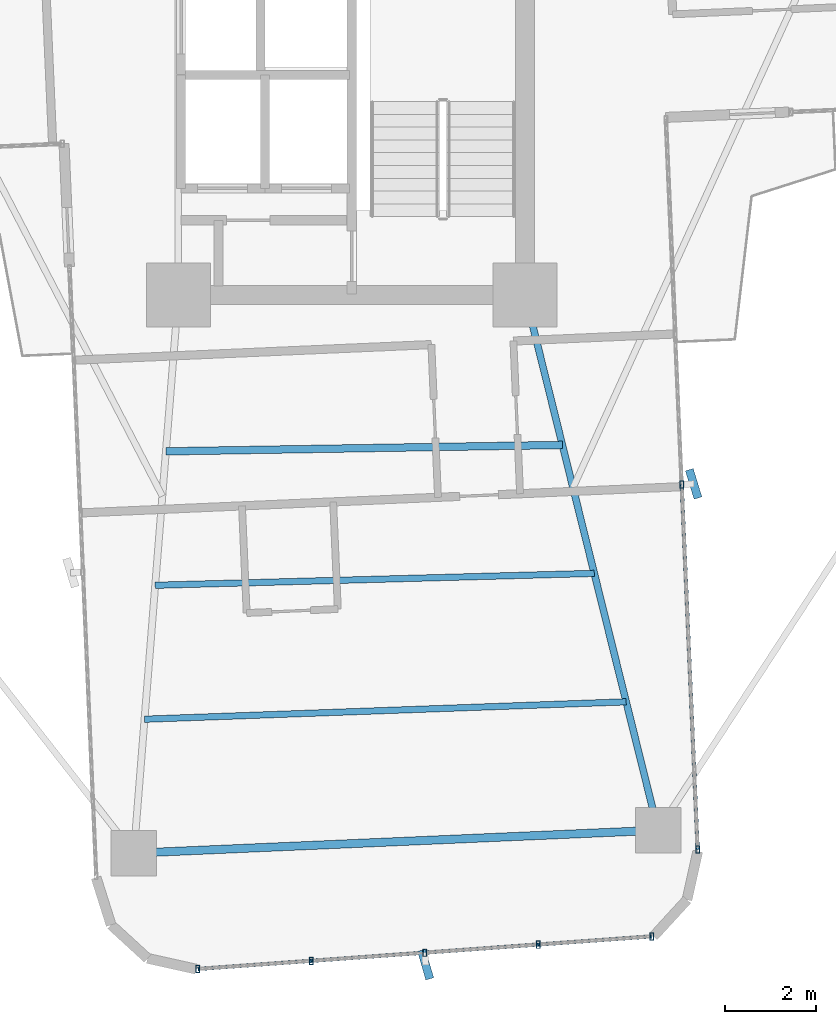
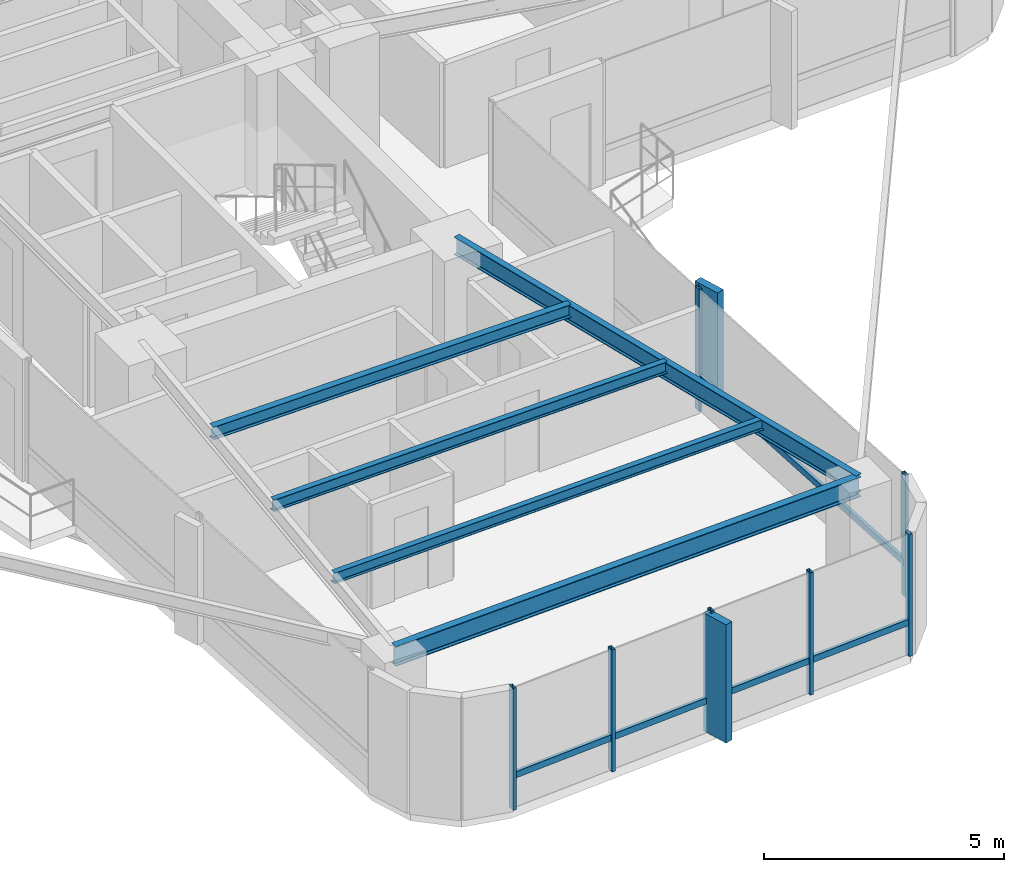
# One storey, part 6 of 26: 14 members, 5 beams, 2 elements without a shape of their own.
"""IFC4 building model written with IfcOpenShell, lengths in metres."""

from ifc_helpers import new_model, si_unit, direction, frame, origin, origin_2d, place, context, subcontext, project, spatial, rectangle, hollow_rectangle, i_section, extrude, source, transform, mapped, material, material_profile, profile_set, type_object, element, aggregate, save


model = new_model("IFC4")

# Units and contexts
model_context = context("Model", 3, precision=1e-05, world=origin(), true_north=direction((0.0, 1.0)))
body_context = subcontext(model_context, "Body", "Model", "MODEL_VIEW")
ifc_project = project(units=[si_unit("LENGTHUNIT", "METRE"), si_unit("AREAUNIT", "SQUARE_METRE"), si_unit("VOLUMEUNIT", "CUBIC_METRE"), si_unit("PLANEANGLEUNIT", "RADIAN"), si_unit("MASSUNIT", "GRAM", prefix="KILO")], contexts=[model_context])

# Site, building, storey
site_placement = place(None, origin())
site = spatial("IfcSite", under=ifc_project, at=site_placement, CompositionType="ELEMENT")
building_placement = place(site_placement, origin())
building = spatial("IfcBuilding", under=site, at=building_placement, Name="Sahyath Konkavel Grand Hotel", CompositionType="ELEMENT")
storey_placement = place(building_placement, frame((0.0, 0.0, 124.85009765625)))
storey = spatial("IfcBuildingStorey", under=building, at=storey_placement, Name="L34", CompositionType="ELEMENT", Elevation=124.85009765625)

# Beams
ifc_material_1 = material(Name="Steel E350", Category="steel")
ifc_material_profile_1 = material_profile(ifc_material_1, i_section(OverallWidth=0.14990234375, OverallDepth=0.449951171875, WebThickness=0.009521484375, FlangeThickness=0.017333984375, FilletRadius=0.014892578125, at=origin_2d()), Name="ISMB 450")
ifc_profile_set_1 = profile_set([ifc_material_profile_1], Name="Steel E350")
beam_type_1 = type_object("IfcBeamType", Name="BM-ISMB450", PredefinedType="BEAM", material=ifc_profile_set_1)
shared_shape_1 = source(origin(), body_context, "Body", "SweptSolid", [
    extrude(i_section(OverallWidth=0.14990234375, OverallDepth=0.449951171875, WebThickness=0.009521484375, FlangeThickness=0.017333984375, FilletRadius=0.014892578125, at=origin_2d()), origin(), (0.0, 0.0, 1.0), 12.084228515625),
])
beam_1_placement = place(storey_placement, frame((3.800048828125, -10.199951171875, 2.885009765625), z_axis=(0.241042688481, -0.970514514229, 0.0), x_axis=(0.970514514229, 0.241042688481, 0.0)))
element("IfcBeam", 1, at=beam_1_placement, inside=storey, type_object=beam_type_1, Name="L34 Cruciform Radial Girder SB", PredefinedType="BEAM", context=body_context, shape_type="MappedRepresentation", body=[
    mapped(shared_shape_1, transform((0.0, 0.0, 0.0), scale=1.0)),
])
ifc_material_profile_2 = material_profile(ifc_material_1, i_section(OverallWidth=0.179931640625, OverallDepth=0.5, WebThickness=0.01025390625, FlangeThickness=0.01708984375, FilletRadius=0.01708984375, at=origin_2d()), Name="ISMB 500")
ifc_profile_set_2 = profile_set([ifc_material_profile_2], Name="Steel E350")
beam_type_2 = type_object("IfcBeamType", Name="BM-ISMB500", PredefinedType="BEAM", material=ifc_profile_set_2)
shared_shape_2 = source(origin(), body_context, "Body", "SweptSolid", [
    extrude(i_section(OverallWidth=0.179931640625, OverallDepth=0.5, WebThickness=0.01025390625, FlangeThickness=0.01708984375, FilletRadius=0.01708984375, at=origin_2d()), origin(), (0.0, 0.0, 1.0), 11.5),
])
beam_2_placement = place(storey_placement, frame((-4.776123046875, -22.4296875, 2.85986328125), z_axis=(0.99904788879, 0.043627008892, 0.0), x_axis=(-0.043627008892, 0.99904788879, 0.0)))
element("IfcBeam", 2, at=beam_2_placement, inside=storey, type_object=beam_type_2, Name="L34 Wing Tip Edge Beam S", PredefinedType="BEAM", context=body_context, shape_type="MappedRepresentation", body=[
    mapped(shared_shape_2, transform((0.0, 0.0, 0.0), scale=1.0)),
])
ifc_material_profile_3 = material_profile(ifc_material_1, i_section(OverallWidth=0.1650390625, OverallDepth=0.324951171875, WebThickness=0.007080078125, FlangeThickness=0.009765625, FilletRadius=0.014892578125, at=origin_2d()), Name="ISLB 325")
ifc_profile_set_3 = profile_set([ifc_material_profile_3], Name="Steel E350")
beam_type_3 = type_object("IfcBeamType", Name="BM-ISLB325", PredefinedType="BEAM", material=ifc_profile_set_3)
shared_shape_3 = source(origin(), body_context, "Body", "SweptSolid", [
    extrude(i_section(OverallWidth=0.1650390625, OverallDepth=0.324951171875, WebThickness=0.007080078125, FlangeThickness=0.009765625, FilletRadius=0.014892578125, at=origin_2d()), origin(), (0.0, 0.0, 1.0), 8.68994140625),
])
beam_3_placement = place(storey_placement, frame((-4.0732421875, -13.624267578125, 2.947509765625), z_axis=(0.999869506431, 0.016154569283, 0.0), x_axis=(-0.016154569283, 0.999869506431, 0.0)))
element("IfcBeam", 3, at=beam_3_placement, inside=storey, type_object=beam_type_3, Name="L34 Secondary Floor Beam S-1", PredefinedType="BEAM", context=body_context, shape_type="MappedRepresentation", body=[
    mapped(shared_shape_3, transform((0.0, 0.0, 0.0), scale=1.0)),
])
ifc_material_profile_4 = material_profile(ifc_material_1, i_section(OverallWidth=0.139892578125, OverallDepth=0.300048828125, WebThickness=0.0078125, FlangeThickness=0.01318359375, FilletRadius=0.013916015625, at=origin_2d()), Name="ISMB 300")
ifc_profile_set_4 = profile_set([ifc_material_profile_4], Name="Steel E350")
beam_type_4 = type_object("IfcBeamType", Name="BM-ISMB300", PredefinedType="BEAM", material=ifc_profile_set_4)
shared_shape_4 = source(origin(), body_context, "Body", "SweptSolid", [
    extrude(i_section(OverallWidth=0.139892578125, OverallDepth=0.300048828125, WebThickness=0.0078125, FlangeThickness=0.01318359375, FilletRadius=0.013916015625, at=origin_2d()), origin(), (0.0, 0.0, 1.0), 9.625732421875),
])
beam_4_placement = place(storey_placement, frame((-4.3076171875, -16.559326171875, 2.9599609375), z_axis=(0.999633060528, 0.027087714933, 0.0), x_axis=(-0.027087714933, 0.999633060528, 0.0)))
element("IfcBeam", 4, at=beam_4_placement, inside=storey, type_object=beam_type_4, Name="L34 Secondary Floor Beam S-2", PredefinedType="BEAM", context=body_context, shape_type="MappedRepresentation", body=[
    mapped(shared_shape_4, transform((0.0, 0.0, 0.0), scale=1.0)),
])
ifc_material_profile_5 = material_profile(ifc_material_1, i_section(OverallWidth=0.139892578125, OverallDepth=0.27490234375, WebThickness=0.00634765625, FlangeThickness=0.0087890625, FilletRadius=0.012939453125, at=origin_2d()), Name="ISLB 275")
ifc_profile_set_5 = profile_set([ifc_material_profile_5], Name="Steel E350")
beam_type_5 = type_object("IfcBeamType", Name="BM-ISLB275", PredefinedType="BEAM", material=ifc_profile_set_5)
shared_shape_5 = source(origin(), body_context, "Body", "SweptSolid", [
    extrude(i_section(OverallWidth=0.139892578125, OverallDepth=0.27490234375, WebThickness=0.00634765625, FlangeThickness=0.0087890625, FilletRadius=0.012939453125, at=origin_2d()), origin(), (0.0, 0.0, 1.0), 10.562744140625),
])
beam_5_placement = place(storey_placement, frame((-4.5419921875, -19.49462890625, 2.972412109375), z_axis=(0.999348077295, 0.036102914095, 0.0), x_axis=(-0.036102914095, 0.999348077295, 0.0)))
element("IfcBeam", 5, at=beam_5_placement, inside=storey, type_object=beam_type_5, Name="L34 Secondary Floor Beam S-3", PredefinedType="BEAM", context=body_context, shape_type="MappedRepresentation", body=[
    mapped(shared_shape_5, transform((0.0, 0.0, 0.0), scale=1.0)),
])

# Curtain wall, members
ifc_material_2 = material(Name="Anodised Bronze Aluminium & Low-E Glazing", Category="aluminium")
curtain_wall_type = type_object("IfcCurtainWallType", Name="CW-ZONE2", PredefinedType="NOTDEFINED", material=ifc_material_2)
curtain_wall_1_placement = place(storey_placement, origin())
curtain_wall_1 = element("IfcCurtainWall", 6, at=curtain_wall_1_placement, inside=storey, type_object=curtain_wall_type, Name="L34 Unitised Curtain Wall F28", PredefinedType="NOTDEFINED")
ifc_material_3 = material(Name="Anodised Bronze Aluminium", Category="aluminium")
ifc_material_profile_6 = material_profile(ifc_material_3, hollow_rectangle(XDim=0.080078125, YDim=0.159912109375, WallThickness=0.006103515625, at=origin_2d()), Name="RHS 160x80x6")
ifc_profile_set_6 = profile_set([ifc_material_profile_6], Name="Anodised Bronze Aluminium")
member_type_1 = type_object("IfcMemberType", Name="CW-MUL-160", PredefinedType="MULLION", material=ifc_profile_set_6)
shared_shape_6 = source(origin(), body_context, "Body", "SweptSolid", [
    extrude(hollow_rectangle(XDim=0.080078125, YDim=0.159912109375, WallThickness=0.006103515625, at=origin_2d()), origin(), (0.0, 0.0, 1.0), 3.10986328125),
])
member_1_placement = place(storey_placement, frame((-3.3740234375, -24.9697265625, 0.0), z_axis=(0.0, 0.0, 1.0), x_axis=(1.0, 0.0, 0.0)))
member_1 = element("IfcMember", 7, at=member_1_placement, type_object=member_type_1, Name="L34 Curtain Wall Mullion F28-0", PredefinedType="MULLION", context=body_context, shape_type="MappedRepresentation", body=[
    mapped(shared_shape_6, transform((0.0, 0.0, 0.0), scale=1.0)),
])
member_2_placement = place(storey_placement, frame((-0.886962890625, -24.79150390625, 0.0), z_axis=(0.0, 0.0, 1.0), x_axis=(1.0, 0.0, 0.0)))
member_2 = element("IfcMember", 8, at=member_2_placement, type_object=member_type_1, Name="L34 Curtain Wall Mullion F28-1", PredefinedType="MULLION", context=body_context, shape_type="MappedRepresentation", body=[
    mapped(shared_shape_6, transform((0.0, 0.0, 0.0), scale=1.0)),
])
member_3_placement = place(storey_placement, frame((1.60009765625, -24.61279296875, 0.0), z_axis=(0.0, 0.0, 1.0), x_axis=(1.0, 0.0, 0.0)))
member_3 = element("IfcMember", 9, at=member_3_placement, type_object=member_type_1, Name="L34 Curtain Wall Mullion F28-2", PredefinedType="MULLION", context=body_context, shape_type="MappedRepresentation", body=[
    mapped(shared_shape_6, transform((0.0, 0.0, 0.0), scale=1.0)),
])
member_4_placement = place(storey_placement, frame((4.087158203125, -24.4345703125, 0.0), z_axis=(0.0, 0.0, 1.0), x_axis=(1.0, 0.0, 0.0)))
member_4 = element("IfcMember", 10, at=member_4_placement, type_object=member_type_1, Name="L34 Curtain Wall Mullion F28-3", PredefinedType="MULLION", context=body_context, shape_type="MappedRepresentation", body=[
    mapped(shared_shape_6, transform((0.0, 0.0, 0.0), scale=1.0)),
])
member_5_placement = place(storey_placement, frame((6.57421875, -24.256103515625, 0.0), z_axis=(0.0, 0.0, 1.0), x_axis=(1.0, 0.0, 0.0)))
member_5 = element("IfcMember", 11, at=member_5_placement, type_object=member_type_1, Name="L34 Curtain Wall Mullion F28-4", PredefinedType="MULLION", context=body_context, shape_type="MappedRepresentation", body=[
    mapped(shared_shape_6, transform((0.0, 0.0, 0.0), scale=1.0)),
])

curtain_wall_2_placement = place(storey_placement, origin())
curtain_wall_2 = element("IfcCurtainWall", 12, at=curtain_wall_2_placement, inside=storey, type_object=curtain_wall_type, Name="L34 Unitised Curtain Wall F31", PredefinedType="NOTDEFINED")
member_6_placement = place(storey_placement, frame((7.582275390625, -22.3505859375, 0.0), z_axis=(0.0, 0.0, 1.0), x_axis=(1.0, 0.0, 0.0)))
member_6 = element("IfcMember", 13, at=member_6_placement, type_object=member_type_1, Name="L34 Curtain Wall Mullion F31-0", PredefinedType="MULLION", context=body_context, shape_type="MappedRepresentation", body=[
    mapped(shared_shape_6, transform((0.0, 0.0, 0.0), scale=1.0)),
])
member_7_placement = place(storey_placement, frame((7.232666015625, -14.34814453125, 0.0), z_axis=(0.0, 0.0, 1.0), x_axis=(1.0, 0.0, 0.0)))
member_7 = element("IfcMember", 14, at=member_7_placement, type_object=member_type_1, Name="L34 Curtain Wall Mullion F31-1", PredefinedType="MULLION", context=body_context, shape_type="MappedRepresentation", body=[
    mapped(shared_shape_6, transform((0.0, 0.0, 0.0), scale=1.0)),
])

# Member
ifc_material_4 = material(Name="Warm Buff Sandstone Cladding on Concrete C50/60", Category="masonry")
ifc_material_profile_7 = material_profile(ifc_material_4, rectangle(XDim=0.179931640625, YDim=0.64990234375, at=origin_2d()), Name="FIN 180x650")
ifc_profile_set_7 = profile_set([ifc_material_profile_7], Name="Warm Buff Sandstone Cladding on Concrete C50/60")
member_type_2 = type_object("IfcMemberType", Name="FIN-SANDSTONE-650", PredefinedType="MULLION", material=ifc_profile_set_7)
shared_shape_7 = source(origin(), body_context, "Body", "SweptSolid", [
    extrude(rectangle(XDim=0.179931640625, YDim=0.64990234375, at=origin_2d()), origin(), (0.0, 0.0, 1.0), 3.010009765625),
])
member_8_placement = place(storey_placement, frame((1.61865234375, -24.872314453125, 0.0498046875), z_axis=(0.0, 0.0, 1.0), x_axis=(0.960488224179, 0.278320626641, 0.0)))
member_8 = element("IfcMember", 15, at=member_8_placement, type_object=member_type_2, Name="L34 Sandstone Vertical Solar Fin FIN F28-2", PredefinedType="MULLION", context=body_context, shape_type="MappedRepresentation", body=[
    mapped(shared_shape_7, transform((0.0, 0.0, 0.0), scale=1.0)),
])

member_9_placement = place(storey_placement, frame((7.492431640625, -14.3369140625, 0.0498046875), z_axis=(0.0, 0.0, 1.0), x_axis=(0.956151539415, 0.292872384621, 0.0)))
member_9 = element("IfcMember", 16, at=member_9_placement, type_object=member_type_2, Name="L34 Sandstone Vertical Solar Fin FIN F31-1", PredefinedType="MULLION", context=body_context, shape_type="MappedRepresentation", body=[
    mapped(shared_shape_7, transform((0.0, 0.0, 0.0), scale=1.0)),
])

ifc_material_profile_8 = material_profile(ifc_material_3, hollow_rectangle(XDim=0.080078125, YDim=0.159912109375, WallThickness=0.006103515625, at=origin_2d()), Name="RHS 160x80x6")
ifc_profile_set_8 = profile_set([ifc_material_profile_8], Name="Anodised Bronze Aluminium")
member_type_3 = type_object("IfcMemberType", Name="CW-TRN-160", PredefinedType="USERDEFINED", material=ifc_profile_set_8)
shared_shape_8 = source(origin(), body_context, "Body", "SweptSolid", [
    extrude(hollow_rectangle(XDim=0.080078125, YDim=0.159912109375, WallThickness=0.006103515625, at=origin_2d()), origin(), (0.0, 0.0, 1.0), 2.493408203125),
])
member_10_placement = place(storey_placement, frame((-3.3740234375, -24.9697265625, 0.849853515625), z_axis=(0.997442271688, 0.071476672066, 0.0), x_axis=(-0.071476672066, 0.997442271688, 0.0)))
member_10 = element("IfcMember", 17, at=member_10_placement, type_object=member_type_3, Name="L34 Curtain Wall Transom F28-0-spandrel", ObjectType="TRANSOM", PredefinedType="USERDEFINED", context=body_context, shape_type="MappedRepresentation", body=[
    mapped(shared_shape_8, transform((0.0, 0.0, 0.0), scale=1.0)),
])

member_11_placement = place(storey_placement, frame((-0.886962890625, -24.79150390625, 0.849853515625), z_axis=(0.997428291631, 0.071671494009, 0.0), x_axis=(-0.071671494009, 0.997428291631, 0.0)))
member_11 = element("IfcMember", 18, at=member_11_placement, type_object=member_type_3, Name="L34 Curtain Wall Transom F28-1-spandrel", ObjectType="TRANSOM", PredefinedType="USERDEFINED", context=body_context, shape_type="MappedRepresentation", body=[
    mapped(shared_shape_8, transform((0.0, 0.0, 0.0), scale=1.0)),
])

member_12_placement = place(storey_placement, frame((1.60009765625, -24.61279296875, 0.849853515625), z_axis=(0.997442271688, 0.071476672066, 0.0), x_axis=(-0.071476672066, 0.997442271688, 0.0)))
member_12 = element("IfcMember", 19, at=member_12_placement, type_object=member_type_3, Name="L34 Curtain Wall Transom F28-2-spandrel", ObjectType="TRANSOM", PredefinedType="USERDEFINED", context=body_context, shape_type="MappedRepresentation", body=[
    mapped(shared_shape_8, transform((0.0, 0.0, 0.0), scale=1.0)),
])

member_13_placement = place(storey_placement, frame((4.087158203125, -24.4345703125, 0.849853515625), z_axis=(0.997435286367, 0.071574084062, 0.0), x_axis=(-0.071574084062, 0.997435286367, 0.0)))
member_13 = element("IfcMember", 20, at=member_13_placement, type_object=member_type_3, Name="L34 Curtain Wall Transom F28-3-spandrel", ObjectType="TRANSOM", PredefinedType="USERDEFINED", context=body_context, shape_type="MappedRepresentation", body=[
    mapped(shared_shape_8, transform((0.0, 0.0, 0.0), scale=1.0)),
])

aggregate(curtain_wall_1, [member_1, member_2, member_3, member_8, member_4, member_5, member_10, member_11, member_12, member_13])

shared_shape_9 = source(origin(), body_context, "Body", "SweptSolid", [
    extrude(hollow_rectangle(XDim=0.080078125, YDim=0.159912109375, WallThickness=0.006103515625, at=origin_2d()), origin(), (0.0, 0.0, 1.0), 8.010009765625),
])
member_14_placement = place(storey_placement, frame((7.582275390625, -22.3505859375, 0.849853515625), z_axis=(-0.043646207089, 0.999047050247, 0.0), x_axis=(-0.999047050247, -0.043646207089, 0.0)))
member_14 = element("IfcMember", 21, at=member_14_placement, type_object=member_type_3, Name="L34 Curtain Wall Transom F31-0-spandrel", ObjectType="TRANSOM", PredefinedType="USERDEFINED", context=body_context, shape_type="MappedRepresentation", body=[
    mapped(shared_shape_9, transform((0.0, 0.0, 0.0), scale=1.0)),
])

aggregate(curtain_wall_2, [member_6, member_7, member_9, member_14])

save(model, "model.ifc")
